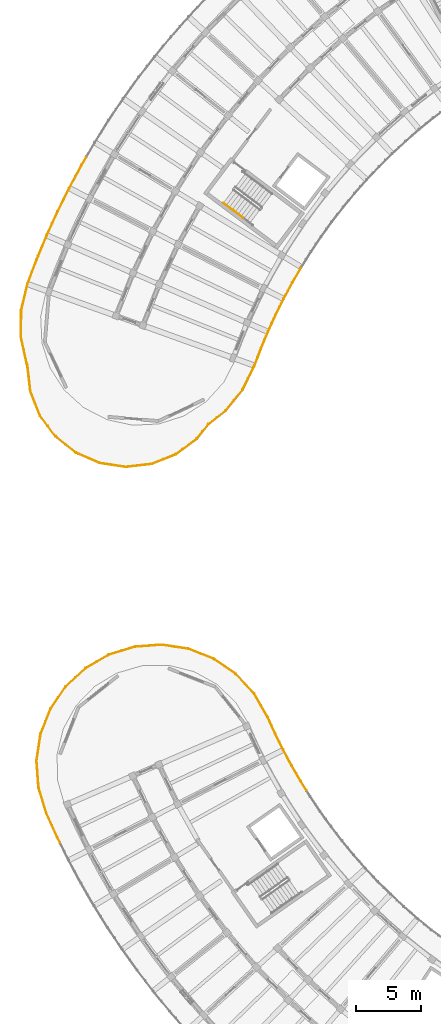
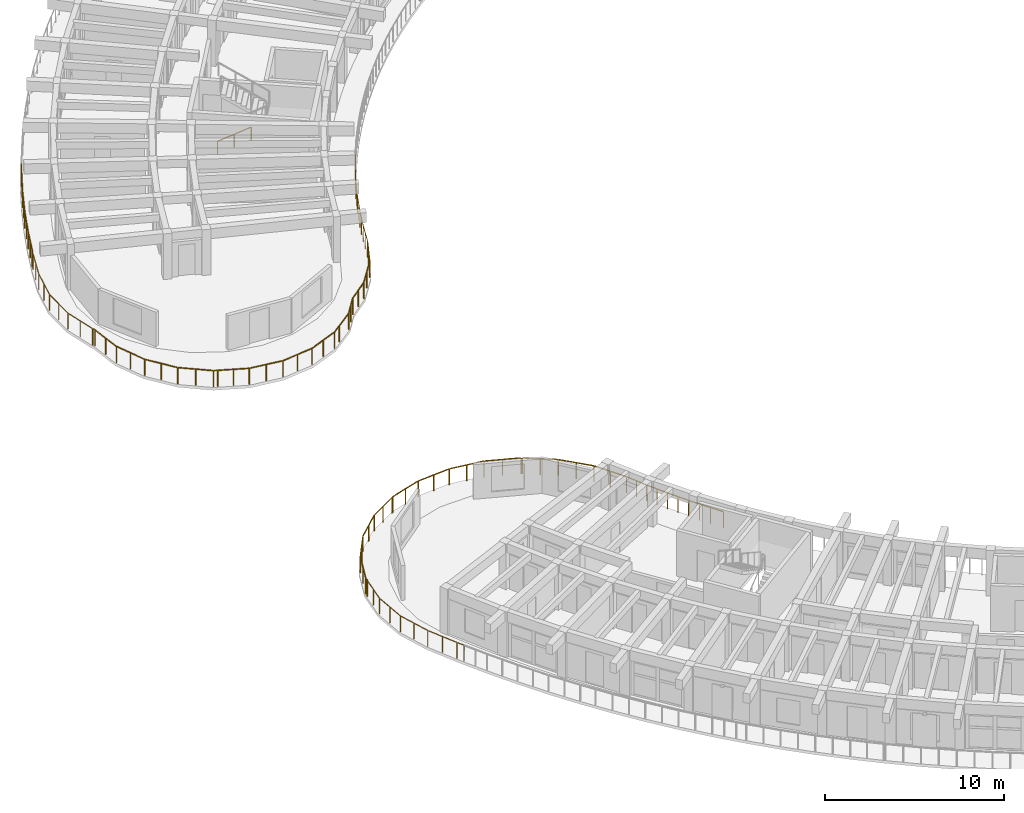
# One storey, part 52 of 62: 13 railings.
"""IFC4 building model written with IfcOpenShell, lengths in metres."""

import ifcopenshell
import ifcopenshell.guid

model = None  # the IFC model being written
_history = None  # IfcOwnerHistory: only IFC2X3 demands one
_inside = {}  # id of a spatial element -> (the spatial element, [elements in it])
_under = {}  # id of a project, library or spatial element -> (it, [spatial elements below it])
_declared = {}  # id of a project -> (the project, [libraries it declares])
_typed = {}  # id of a type object -> (the type object, [elements of that type])
_made_of = {}  # id of a material, layer set ... -> (it, [elements and type objects made of it])


def new_model(schema):
    """Start an empty IFC model of exactly this schema.

    Asked for "IFC4X3", IfcOpenShell would pick the latest addendum, in which some entities
    have other attributes; the version numbers below select the first issue.
    IFC2X3 requires an IfcOwnerHistory on every rooted entity: one is made here for all.
    """
    global model, _history
    if schema == "IFC4X3":
        model = ifcopenshell.file(schema_version=(4, 3, 0, 0))
    else:
        model = ifcopenshell.file(schema=schema)
    _inside.clear()
    _under.clear()
    _declared.clear()
    _typed.clear()
    _made_of.clear()
    _history = None
    if model.schema == "IFC2X3":
        org = make("IfcOrganization", Name="unknown")
        user = make(
            "IfcPersonAndOrganization",
            ThePerson=make("IfcPerson", FamilyName="unknown"),
            TheOrganization=org,
        )
        app = make(
            "IfcApplication",
            ApplicationDeveloper=org,
            Version="unknown",
            ApplicationFullName="unknown",
            ApplicationIdentifier="unknown",
        )
        _history = make(
            "IfcOwnerHistory",
            OwningUser=user,
            OwningApplication=app,
            ChangeAction="ADDED",
            CreationDate=0,
        )
    return model


def make(cls, **values):
    """One entity of the class cls with the attributes given. An attribute that is None is left unset."""
    return model.create_entity(
        cls, **{name: value for name, value in values.items() if value is not None}
    )


def rooted(cls, **values):
    """An entity with a GlobalId (a new one), such as an element, a storey or a relation."""
    return make(cls, GlobalId=ifcopenshell.guid.new(), OwnerHistory=_history, **values)


def si_unit(unit_type, name, prefix=None):
    """IfcSIUnit, for example si_unit("LENGTHUNIT", "METRE", prefix="MILLI")."""
    return make("IfcSIUnit", UnitType=unit_type, Prefix=prefix, Name=name)


def assignment(units):
    """IfcUnitAssignment: the units of a project."""
    return None if units is None else make("IfcUnitAssignment", Units=units)


def point(xyz):
    """IfcCartesianPoint."""
    return None if xyz is None else make("IfcCartesianPoint", Coordinates=xyz)


def direction(xyz):
    """IfcDirection."""
    return None if xyz is None else make("IfcDirection", DirectionRatios=xyz)


def frame(location, z_axis=None, x_axis=None):
    """IfcAxis2Placement3D, a coordinate frame: its origin and axes. An axis left out is left unset."""
    return make(
        "IfcAxis2Placement3D",
        Location=point(location),
        Axis=direction(z_axis),
        RefDirection=direction(x_axis),
    )


def frame_2d(location, x_axis=None):
    """IfcAxis2Placement2D, a coordinate frame in the plane: its origin and x axis."""
    return make(
        "IfcAxis2Placement2D", Location=point(location), RefDirection=direction(x_axis)
    )


def origin():
    """The frame at (0, 0, 0) with its axes left unset."""
    return frame((0.0, 0.0, 0.0))


def origin_2d():
    """The frame at (0, 0) in the plane with its x axis left unset."""
    return frame_2d((0.0, 0.0))


def place(relative_to, where):
    """IfcLocalPlacement: puts the frame where relative to a parent placement (None: the world)."""
    return make(
        "IfcLocalPlacement", PlacementRelTo=relative_to, RelativePlacement=where
    )


def context(
    kind, dimensions, precision=None, world=None, true_north=None, identifier=None
):
    """IfcGeometricRepresentationContext, for example the 3D "Model" context."""
    return make(
        "IfcGeometricRepresentationContext",
        ContextIdentifier=identifier,
        ContextType=kind,
        CoordinateSpaceDimension=dimensions,
        Precision=precision,
        WorldCoordinateSystem=world,
        TrueNorth=true_north,
    )


def subcontext(parent, identifier, kind, view, scale=None):
    """IfcGeometricRepresentationSubContext, for example "Body" below "Model"."""
    return make(
        "IfcGeometricRepresentationSubContext",
        ContextIdentifier=identifier,
        ContextType=kind,
        ParentContext=parent,
        TargetScale=scale,
        TargetView=view,
    )


def project(units=None, contexts=None):
    """IfcProject with its units and contexts."""
    return rooted(
        "IfcProject",
        Name="project",
        RepresentationContexts=contexts,
        UnitsInContext=assignment(units),
    )


def spatial(cls, under=None, at=None, **own):
    """A site, building, storey or space (cls), placed at a placement, below another one or the project."""
    s = rooted(cls, ObjectPlacement=at, **own)
    if under is not None:
        _under.setdefault(under.id(), (under, []))[1].append(s)
    return s


def profile(cls, at=None, kind="AREA", **sizes):
    """A parametric profile (cls). Its sizes go by their IFC names, for example OverallWidth=200.0."""
    return make(cls, ProfileType=kind, Position=at, **sizes)


def circle(**sizes):
    """IfcCircleProfileDef."""
    return profile("IfcCircleProfileDef", **sizes)


def extrude(swept, where, along, depth):
    """IfcExtrudedAreaSolid: the profile swept, set in the frame where, extruded along a direction by depth."""
    return make(
        "IfcExtrudedAreaSolid",
        SweptArea=swept,
        Position=where,
        ExtrudedDirection=direction(along),
        Depth=depth,
    )


def shape(context_of_items, identifier, shape_type, items):
    """IfcShapeRepresentation: the items that make up one representation, for example the "Body"."""
    return make(
        "IfcShapeRepresentation",
        ContextOfItems=context_of_items,
        RepresentationIdentifier=identifier,
        RepresentationType=shape_type,
        Items=items,
    )


def material(Name=None, Category=None):
    """IfcMaterial."""
    return make("IfcMaterial", Name=Name, Category=Category)


def made_of(thing, what):
    """Note that an element or type object is made of a material, layer set ...; save() writes the relation."""
    if what is not None:
        _made_of.setdefault(what.id(), (what, []))[1].append(thing)
    return thing


def type_object(cls, material=None, **own):
    """A type object (cls), such as IfcWallType, which elements share."""
    return made_of(rooted(cls, **own), material)


def element(
    cls,
    number,
    at=None,
    inside=None,
    cuts=None,
    type_object=None,
    material=None,
    context=None,
    identifier="Body",
    shape_type=None,
    held_by="IfcProductDefinitionShape",
    body=None,
    shapes=None,
    **own,
):
    """One element of the class cls, such as IfcWall. Its Tag is "e" and its number.

    at: its placement. inside: the storey or other place that contains it. cuts: it is an
    opening in that element (IfcRelVoidsElement). A single representation is given by context,
    identifier, shape_type and body (its items); several are given by shapes. held_by: the class
    of the entity that holds the representations. save() writes the other relations.
    """
    e = rooted(cls, Tag="e%d" % number, ObjectPlacement=at, **own)
    if body is not None:
        shapes = [shape(context, identifier, shape_type, body)]
    if shapes is not None:
        e.Representation = make(held_by, Representations=shapes)
    if inside is not None:
        _inside.setdefault(inside.id(), (inside, []))[1].append(e)
    if cuts is not None:
        rooted(
            "IfcRelVoidsElement", RelatingBuildingElement=cuts, RelatedOpeningElement=e
        )
    if type_object is not None:
        _typed.setdefault(type_object.id(), (type_object, []))[1].append(e)
    return made_of(e, material)


def aggregate(whole, parts):
    """IfcRelAggregates: a whole, such as a stair, and the parts it consists of."""
    return rooted("IfcRelAggregates", RelatingObject=whole, RelatedObjects=parts)


def save(model, path):
    """Write the relations noted so far, then the file.

    IfcRelAggregates (storeys below a building ...), IfcRelContainedInSpatialStructure (elements
    in a storey), IfcRelDefinesByType, IfcRelAssociatesMaterial and IfcRelDeclares: one each for
    every whole, place, type object, material and project.
    """
    for whole, parts in _under.values():
        aggregate(whole, parts)
    for where, things in _inside.values():
        rooted(
            "IfcRelContainedInSpatialStructure",
            RelatedElements=things,
            RelatingStructure=where,
        )
    for kind, things in _typed.values():
        rooted("IfcRelDefinesByType", RelatedObjects=things, RelatingType=kind)
    for what, things in _made_of.values():
        rooted("IfcRelAssociatesMaterial", RelatedObjects=things, RelatingMaterial=what)
    for by, libraries in _declared.values():
        rooted("IfcRelDeclares", RelatingContext=by, RelatedDefinitions=libraries)
    model.write(path)


model = new_model("IFC4")

# Units and contexts
model_context = context("Model", 3, precision=1e-05, world=origin(), true_north=direction((0.0, 1.0)))
body_context = subcontext(model_context, "Body", "Model", "MODEL_VIEW")
ifc_project = project(units=[si_unit("LENGTHUNIT", "METRE"), si_unit("AREAUNIT", "SQUARE_METRE"), si_unit("VOLUMEUNIT", "CUBIC_METRE"), si_unit("PLANEANGLEUNIT", "RADIAN"), si_unit("MASSUNIT", "GRAM", prefix="KILO")], contexts=[model_context])

# Site, building, storey
site_placement = place(None, origin())
site = spatial("IfcSite", under=ifc_project, at=site_placement, CompositionType="ELEMENT")
building_placement = place(site_placement, origin())
building = spatial("IfcBuilding", under=site, at=building_placement, Name="Tanwirah Colonnade Gardens", CompositionType="ELEMENT")
storey_placement = place(building_placement, frame((0.0, 0.0, 32.360107421875)))
storey = spatial("IfcBuildingStorey", under=building, at=storey_placement, Name="L09", CompositionType="ELEMENT", Elevation=32.360107421875)

# Railings
ifc_material_1 = material(Name="Precast concrete C40/50", Category="concrete")
railing_type_1 = type_object("IfcRailingType", Name="BAL-EXT110", PredefinedType="BALUSTRADE", material=ifc_material_1)
railing_1_placement = place(storey_placement, frame((24.818115234375, 49.289794921875, 0.0)))
element("IfcRailing", 1, at=railing_1_placement, inside=storey, type_object=railing_type_1, Name="Block C L09 Balcony Ribbon Balustrade 1", PredefinedType="BALUSTRADE", context=body_context, shape_type="SweptSolid", body=[
    extrude(circle(Radius=0.02392578125, at=origin_2d()), frame((0.015625, -0.027099609375, 1.076171875), z_axis=(0.499001626878, -0.866601047988, 0.0), x_axis=(0.866601047988, 0.499001626878, 0.0)), (0.0, 0.0, 1.0), 2.029541015625),
    extrude(circle(Radius=0.02392578125, at=origin_2d()), frame((1.056884765625, -1.841552734375, 1.076171875), z_axis=(0.413604450522, -0.9104566758, 0.0), x_axis=(0.9104566758, 0.413604450522, 0.0)), (0.0, 0.0, 1.0), 1.32763671875),
    extrude(circle(Radius=0.02392578125, at=origin_2d()), frame((1.634033203125, -3.109130859375, 1.076171875), z_axis=(0.443286097627, -0.896380184771, 0.0), x_axis=(0.896380184771, 0.443286097627, 0.0)), (0.0, 0.0, 1.0), 1.33154296875),
    extrude(circle(Radius=0.02392578125, at=origin_2d()), frame((2.25390625, -4.360595703125, 1.076171875), z_axis=(0.472323466806, -0.881425290484, 0.0), x_axis=(0.881425290484, 0.472323466806, 0.0)), (0.0, 0.0, 1.0), 1.33154296875),
    extrude(circle(Radius=0.02392578125, at=origin_2d()), frame((2.91455078125, -5.591064453125, 1.076171875), z_axis=(0.501015561301, -0.865438274711, 0.0), x_axis=(0.865438274711, 0.501015561301, 0.0)), (0.0, 0.0, 1.0), 1.33154296875),
    extrude(circle(Radius=0.02392578125, at=origin_2d()), frame((3.615234375, -6.79931640625, 1.076171875), z_axis=(0.528908325755, -0.848678963417, 0.0), x_axis=(0.848678963417, 0.528908325755, 0.0)), (0.0, 0.0, 1.0), 0.7626953125),
    extrude(circle(Radius=0.02099609375, at=origin_2d()), origin(), (0.0, 0.0, 1.0), 1.049072265625),
    extrude(circle(Radius=0.02099609375, at=origin_2d()), frame((0.52197265625, -0.906494140625, 0.0)), (0.0, 0.0, 1.0), 1.049072265625),
    extrude(circle(Radius=0.02099609375, at=origin_2d()), frame((1.0439453125, -1.81298828125, 0.0)), (0.0, 0.0, 1.0), 1.049072265625),
    extrude(circle(Radius=0.02099609375, at=origin_2d()), frame((1.33154296875, -2.44580078125, 0.0)), (0.0, 0.0, 1.0), 1.049072265625),
    extrude(circle(Radius=0.02099609375, at=origin_2d()), frame((1.618896484375, -3.07861328125, 0.0)), (0.0, 0.0, 1.0), 1.049072265625),
    extrude(circle(Radius=0.02099609375, at=origin_2d()), frame((1.92919921875, -3.705810546875, 0.0)), (0.0, 0.0, 1.0), 1.049072265625),
    extrude(circle(Radius=0.02099609375, at=origin_2d()), frame((2.238037109375, -4.33056640625, 0.0)), (0.0, 0.0, 1.0), 1.049072265625),
    extrude(circle(Radius=0.02099609375, at=origin_2d()), frame((2.568359375, -4.947265625, 0.0)), (0.0, 0.0, 1.0), 1.049072265625),
    extrude(circle(Radius=0.02099609375, at=origin_2d()), frame((2.897705078125, -5.561767578125, 0.0)), (0.0, 0.0, 1.0), 1.049072265625),
    extrude(circle(Radius=0.02099609375, at=origin_2d()), frame((3.248046875, -6.167236328125, 0.0)), (0.0, 0.0, 1.0), 1.049072265625),
    extrude(circle(Radius=0.02099609375, at=origin_2d()), frame((3.597412109375, -6.7705078125, 0.0)), (0.0, 0.0, 1.0), 1.049072265625),
    extrude(circle(Radius=0.02099609375, at=origin_2d()), frame((4.03515625, -7.47314453125, 0.0)), (0.0, 0.0, 1.0), 1.049072265625),
])
railing_2_placement = place(storey_placement, frame((9.806396484375, 37.796142578125, 0.0)))
element("IfcRailing", 2, at=railing_2_placement, inside=storey, type_object=railing_type_1, Name="Block C L09 Balcony Ribbon Balustrade 14", PredefinedType="BALUSTRADE", context=body_context, shape_type="SweptSolid", body=[
    extrude(circle(Radius=0.02392578125, at=origin_2d()), frame((-0.013916015625, 0.028076171875, 1.076171875), z_axis=(-0.443096603323, 0.896473870296, 0.0), x_axis=(-0.896473870296, -0.443096603323, 0.0)), (0.0, 0.0, 1.0), 0.412353515625),
    extrude(circle(Radius=0.02392578125, at=origin_2d()), frame((-0.223388671875, 0.454345703125, 1.076171875), z_axis=(-0.413646790889, 0.910437440128, 0.0), x_axis=(-0.910437440128, -0.413646790889, 0.0)), (0.0, 0.0, 1.0), 1.940185546875),
    extrude(circle(Radius=0.02392578125, at=origin_2d()), frame((-1.048095703125, 2.27880859375, 1.076171875), z_axis=(-0.293544269922, 0.955945480452, 0.0), x_axis=(-0.955945480452, -0.293544269922, 0.0)), (0.0, 0.0, 1.0), 2.0283203125),
    extrude(circle(Radius=0.02392578125, at=origin_2d()), frame((-1.65478515625, 4.279052734375, 1.076171875), z_axis=(-0.073591558484, 0.997288465049, 0.0), x_axis=(-0.997288465049, -0.073591558484, 0.0)), (0.0, 0.0, 1.0), 2.024169921875),
    extrude(circle(Radius=0.02392578125, at=origin_2d()), frame((-1.801513671875, 6.35986328125, 1.076171875), z_axis=(0.150326719237, 0.988636372729, 0.0), x_axis=(-0.988636372729, 0.150326719237, 0.0)), (0.0, 0.0, 1.0), 1.782470703125),
    extrude(circle(Radius=0.02099609375, at=origin_2d()), origin(), (0.0, 0.0, 1.0), 1.049072265625),
    extrude(circle(Radius=0.02099609375, at=origin_2d()), frame((-0.21044921875, 0.42578125, 0.0)), (0.0, 0.0, 1.0), 1.049072265625),
    extrude(circle(Radius=0.02099609375, at=origin_2d()), frame((-0.62451171875, 1.33740234375, 0.0)), (0.0, 0.0, 1.0), 1.049072265625),
    extrude(circle(Radius=0.02099609375, at=origin_2d()), frame((-1.038818359375, 2.2490234375, 0.0)), (0.0, 0.0, 1.0), 1.049072265625),
    extrude(circle(Radius=0.02099609375, at=origin_2d()), frame((-1.345703125, 3.24853515625, 0.0)), (0.0, 0.0, 1.0), 1.049072265625),
    extrude(circle(Radius=0.02099609375, at=origin_2d()), frame((-1.652587890625, 4.247802734375, 0.0)), (0.0, 0.0, 1.0), 1.049072265625),
    extrude(circle(Radius=0.02099609375, at=origin_2d()), frame((-1.7294921875, 5.288330078125, 0.0)), (0.0, 0.0, 1.0), 1.049072265625),
    extrude(circle(Radius=0.02099609375, at=origin_2d()), frame((-1.80615234375, 6.328857421875, 0.0)), (0.0, 0.0, 1.0), 1.049072265625),
    extrude(circle(Radius=0.02099609375, at=origin_2d()), frame((-1.66748046875, 7.24072265625, 0.0)), (0.0, 0.0, 1.0), 1.049072265625),
    extrude(circle(Radius=0.02099609375, at=origin_2d()), frame((-1.52880859375, 8.15283203125, 0.0)), (0.0, 0.0, 1.0), 1.049072265625),
])
railing_3_placement = place(storey_placement, frame((8.277587890625, 45.948974609375, 0.0)))
element("IfcRailing", 3, at=railing_3_placement, inside=storey, type_object=railing_type_1, Name="Block C L09 Balcony Ribbon Balustrade 15", PredefinedType="BALUSTRADE", context=body_context, shape_type="SweptSolid", body=[
    extrude(circle(Radius=0.02392578125, at=origin_2d()), frame((0.004638671875, 0.031005859375, 1.076171875), z_axis=(0.150313389314, 0.988638399514, 0.0), x_axis=(-0.988638399514, 0.150313389314, 0.0)), (0.0, 0.0, 1.0), 0.179443359375),
    extrude(circle(Radius=0.02392578125, at=origin_2d()), frame((0.0478515625, 0.268310546875, 1.076171875), z_axis=(0.366484627312, 0.930424106493, 0.0), x_axis=(-0.930424106493, 0.366484627312, 0.0)), (0.0, 0.0, 1.0), 2.024658203125),
    extrude(circle(Radius=0.02392578125, at=origin_2d()), frame((0.81884765625, 2.20703125, 1.076171875), z_axis=(0.564381899304, 0.825513822863, 0.0), x_axis=(-0.825513822863, 0.564381899304, 0.0)), (0.0, 0.0, 1.0), 2.024169921875),
    extrude(circle(Radius=0.02392578125, at=origin_2d()), frame((2.001953125, 3.925048828125, 1.076171875), z_axis=(0.733838427915, 0.679324047649, 0.0), x_axis=(-0.679324047649, 0.733838427915, 0.0)), (0.0, 0.0, 1.0), 2.0244140625),
    extrude(circle(Radius=0.02392578125, at=origin_2d()), frame((3.53759765625, 5.337158203125, 1.076171875), z_axis=(0.866681716093, 0.498861506823, 0.0), x_axis=(-0.498861506823, 0.866681716093, 0.0)), (0.0, 0.0, 1.0), 1.934814453125),
    extrude(circle(Radius=0.02099609375, at=origin_2d()), origin(), (0.0, 0.0, 1.0), 1.049072265625),
    extrude(circle(Radius=0.02099609375, at=origin_2d()), frame((0.036376953125, 0.2392578125, 0.0)), (0.0, 0.0, 1.0), 1.049072265625),
    extrude(circle(Radius=0.02099609375, at=origin_2d()), frame((0.4189453125, 1.210205078125, 0.0)), (0.0, 0.0, 1.0), 1.049072265625),
    extrude(circle(Radius=0.02099609375, at=origin_2d()), frame((0.80126953125, 2.18115234375, 0.0)), (0.0, 0.0, 1.0), 1.049072265625),
    extrude(circle(Radius=0.02099609375, at=origin_2d()), frame((1.39013671875, 3.04248046875, 0.0)), (0.0, 0.0, 1.0), 1.049072265625),
    extrude(circle(Radius=0.02099609375, at=origin_2d()), frame((1.97900390625, 3.90380859375, 0.0)), (0.0, 0.0, 1.0), 1.049072265625),
    extrude(circle(Radius=0.02099609375, at=origin_2d()), frame((2.74462890625, 4.61279296875, 0.0)), (0.0, 0.0, 1.0), 1.049072265625),
    extrude(circle(Radius=0.02099609375, at=origin_2d()), frame((3.510498046875, 5.321533203125, 0.0)), (0.0, 0.0, 1.0), 1.049072265625),
    extrude(circle(Radius=0.02099609375, at=origin_2d()), frame((4.3759765625, 5.81982421875, 0.0)), (0.0, 0.0, 1.0), 1.049072265625),
    extrude(circle(Radius=0.02099609375, at=origin_2d()), frame((5.241455078125, 6.31787109375, 0.0)), (0.0, 0.0, 1.0), 1.049072265625),
])
railing_4_placement = place(storey_placement, frame((13.51904296875, 52.266845703125, 0.0)))
element("IfcRailing", 4, at=railing_4_placement, inside=storey, type_object=railing_type_1, Name="Block C L09 Balcony Ribbon Balustrade 16", PredefinedType="BALUSTRADE", context=body_context, shape_type="SweptSolid", body=[
    extrude(circle(Radius=0.02392578125, at=origin_2d()), frame((0.027099609375, 0.015625, 1.076171875), z_axis=(0.866729579783, 0.498778343083, 0.0), x_axis=(-0.498778343083, 0.866729579783, 0.0)), (0.0, 0.0, 1.0), 0.027099609375),
    extrude(circle(Radius=0.02392578125, at=origin_2d()), frame((0.107421875, 0.053955078125, 1.076171875), z_axis=(0.955925583692, 0.293609057155, 0.0), x_axis=(-0.293609057155, 0.955925583692, 0.0)), (0.0, 0.0, 1.0), 2.024658203125),
    extrude(circle(Radius=0.02392578125, at=origin_2d()), frame((2.10400390625, 0.65966796875, 1.076171875), z_axis=(0.997297045031, 0.0734751929, 0.0), x_axis=(-0.0734751929, 0.997297045031, 0.0)), (0.0, 0.0, 1.0), 2.024169921875),
    extrude(circle(Radius=0.02392578125, at=origin_2d()), frame((4.184814453125, 0.80615234375, 1.076171875), z_axis=(0.988636607769, -0.150325173469, 0.0), x_axis=(0.150325173469, 0.988636607769, 0.0)), (0.0, 0.0, 1.0), 2.0244140625),
    extrude(circle(Radius=0.02392578125, at=origin_2d()), frame((6.24609375, 0.485595703125, 1.076171875), z_axis=(0.930408392817, -0.366524518382, 0.0), x_axis=(0.366524518382, 0.930408392817, 0.0)), (0.0, 0.0, 1.0), 2.0244140625),
    extrude(circle(Radius=0.02099609375, at=origin_2d()), origin(), (0.0, 0.0, 1.0), 1.049072265625),
    extrude(circle(Radius=0.02099609375, at=origin_2d()), frame((0.07763671875, 0.044677734375, 0.0)), (0.0, 0.0, 1.0), 1.049072265625),
    extrude(circle(Radius=0.02099609375, at=origin_2d()), frame((1.0751953125, 0.35107421875, 0.0)), (0.0, 0.0, 1.0), 1.049072265625),
    extrude(circle(Radius=0.02099609375, at=origin_2d()), frame((2.07275390625, 0.657470703125, 0.0)), (0.0, 0.0, 1.0), 1.049072265625),
    extrude(circle(Radius=0.02099609375, at=origin_2d()), frame((3.11328125, 0.734130859375, 0.0)), (0.0, 0.0, 1.0), 1.049072265625),
    extrude(circle(Radius=0.02099609375, at=origin_2d()), frame((4.15380859375, 0.810791015625, 0.0)), (0.0, 0.0, 1.0), 1.049072265625),
    extrude(circle(Radius=0.02099609375, at=origin_2d()), frame((5.185546875, 0.65380859375, 0.0)), (0.0, 0.0, 1.0), 1.049072265625),
    extrude(circle(Radius=0.02099609375, at=origin_2d()), frame((6.217041015625, 0.4970703125, 0.0)), (0.0, 0.0, 1.0), 1.049072265625),
    extrude(circle(Radius=0.02099609375, at=origin_2d()), frame((7.18798828125, 0.11474609375, 0.0)), (0.0, 0.0, 1.0), 1.049072265625),
    extrude(circle(Radius=0.02099609375, at=origin_2d()), frame((8.15869140625, -0.267822265625, 0.0)), (0.0, 0.0, 1.0), 1.049072265625),
    extrude(circle(Radius=0.02099609375, at=origin_2d()), frame((8.21044921875, -0.302978515625, 0.0)), (0.0, 0.0, 1.0), 1.049072265625),
])
railing_5_placement = place(storey_placement, frame((21.7294921875, 51.9638671875, 0.0)))
element("IfcRailing", 5, at=railing_5_placement, inside=storey, type_object=railing_type_1, Name="Block C L09 Balcony Ribbon Balustrade 17", PredefinedType="BALUSTRADE", context=body_context, shape_type="SweptSolid", body=[
    extrude(circle(Radius=0.02392578125, at=origin_2d()), frame((0.02587890625, -0.017578125, 1.076171875), z_axis=(0.825499489015, -0.564402864659, 0.0), x_axis=(0.564402864659, 0.825499489015, 0.0)), (0.0, 0.0, 1.0), 1.9619140625),
    extrude(circle(Radius=0.02392578125, at=origin_2d()), frame((1.6923828125, -1.16552734375, 1.076171875), z_axis=(0.679261042241, -0.733896747843, 0.0), x_axis=(0.733896747843, 0.679261042241, 0.0)), (0.0, 0.0, 1.0), 2.024169921875),
    extrude(circle(Radius=0.02099609375, at=origin_2d()), origin(), (0.0, 0.0, 1.0), 1.049072265625),
    extrude(circle(Radius=0.02099609375, at=origin_2d()), frame((0.83544921875, -0.5712890625, 0.0)), (0.0, 0.0, 1.0), 1.049072265625),
    extrude(circle(Radius=0.02099609375, at=origin_2d()), frame((1.671142578125, -1.142578125, 0.0)), (0.0, 0.0, 1.0), 1.049072265625),
    extrude(circle(Radius=0.02099609375, at=origin_2d()), frame((2.3798828125, -1.908203125, 0.0)), (0.0, 0.0, 1.0), 1.049072265625),
    extrude(circle(Radius=0.02099609375, at=origin_2d()), frame((3.088623046875, -2.674072265625, 0.0)), (0.0, 0.0, 1.0), 1.049072265625),
])
railing_type_2 = type_object("IfcRailingType", Name="BAL-EXT112", PredefinedType="BALUSTRADE", material=ifc_material_1)
railing_6_placement = place(storey_placement, frame((28.422119140625, 82.189697265625, 0.0)))
element("IfcRailing", 6, at=railing_6_placement, inside=storey, type_object=railing_type_2, Name="Block A L09 Balcony Ribbon Balustrade 6", PredefinedType="BALUSTRADE", context=body_context, shape_type="SweptSolid", body=[
    extrude(circle(Radius=0.02392578125, at=origin_2d()), frame((-0.015625, -0.027099609375, 1.09619140625), z_axis=(-0.502458075829, -0.864601574157, 0.0), x_axis=(0.864601574157, -0.502458075829, 0.0)), (0.0, 0.0, 1.0), 1.270263671875),
    extrude(circle(Radius=0.02392578125, at=origin_2d()), frame((-0.685791015625, -1.18212890625, 1.09619140625), z_axis=(-0.473716211853, -0.880677552018, 0.0), x_axis=(0.880677552018, -0.473716211853, 0.0)), (0.0, 0.0, 1.0), 1.341796875),
    extrude(circle(Radius=0.02392578125, at=origin_2d()), frame((-1.351318359375, -2.421630859375, 1.09619140625), z_axis=(-0.444499692011, -0.895779003885, 0.0), x_axis=(0.895779003885, -0.444499692011, 0.0)), (0.0, 0.0, 1.0), 1.341796875),
    extrude(circle(Radius=0.02392578125, at=origin_2d()), frame((-1.975830078125, -3.6826171875, 1.09619140625), z_axis=(-0.414654197084, -0.909979063957, 0.0), x_axis=(0.909979063957, -0.414654197084, 0.0)), (0.0, 0.0, 1.0), 1.341796875),
    extrude(circle(Radius=0.02392578125, at=origin_2d()), frame((-2.55810546875, -4.963134765625, 1.09619140625), z_axis=(-0.384541319971, -0.923107779858, 0.0), x_axis=(0.923107779858, -0.384541319971, 0.0)), (0.0, 0.0, 1.0), 1.341796875),
    extrude(circle(Radius=0.02392578125, at=origin_2d()), frame((-3.09814453125, -6.262451171875, 1.09619140625), z_axis=(-0.353834404232, -0.935308085276, 0.0), x_axis=(0.935308085276, -0.353834404232, 0.0)), (0.0, 0.0, 1.0), 1.338134765625),
    extrude(circle(Radius=0.02392578125, at=origin_2d()), frame((-3.5966796875, -7.5712890625, 1.09619140625), z_axis=(-0.441461785618, -0.897280052068, 0.0), x_axis=(0.897280052068, -0.441461785618, 0.0)), (0.0, 0.0, 1.0), 0.073486328125),
    extrude(circle(Radius=0.02099609375, at=origin_2d()), origin(), (0.0, 0.0, 1.0), 1.069091796875),
    extrude(circle(Radius=0.02099609375, at=origin_2d()), frame((-0.669677734375, -1.15234375, 0.0)), (0.0, 0.0, 1.0), 1.069091796875),
    extrude(circle(Radius=0.02099609375, at=origin_2d()), frame((-1.00341796875, -1.77294921875, 0.0)), (0.0, 0.0, 1.0), 1.069091796875),
    extrude(circle(Radius=0.02099609375, at=origin_2d()), frame((-1.336181640625, -2.391357421875, 0.0)), (0.0, 0.0, 1.0), 1.069091796875),
    extrude(circle(Radius=0.02099609375, at=origin_2d()), frame((-1.6494140625, -3.0224609375, 0.0)), (0.0, 0.0, 1.0), 1.069091796875),
    extrude(circle(Radius=0.02099609375, at=origin_2d()), frame((-1.961669921875, -3.651611328125, 0.0)), (0.0, 0.0, 1.0), 1.069091796875),
    extrude(circle(Radius=0.02099609375, at=origin_2d()), frame((-2.25390625, -4.29296875, 0.0)), (0.0, 0.0, 1.0), 1.069091796875),
    extrude(circle(Radius=0.02099609375, at=origin_2d()), frame((-2.545166015625, -4.931884765625, 0.0)), (0.0, 0.0, 1.0), 1.069091796875),
    extrude(circle(Radius=0.02099609375, at=origin_2d()), frame((-2.816162109375, -5.58251953125, 0.0)), (0.0, 0.0, 1.0), 1.069091796875),
    extrude(circle(Radius=0.02099609375, at=origin_2d()), frame((-3.086181640625, -6.230712890625, 0.0)), (0.0, 0.0, 1.0), 1.069091796875),
    extrude(circle(Radius=0.02099609375, at=origin_2d()), frame((-3.3349609375, -6.88818359375, 0.0)), (0.0, 0.0, 1.0), 1.069091796875),
    extrude(circle(Radius=0.02099609375, at=origin_2d()), frame((-3.582763671875, -7.543212890625, 0.0)), (0.0, 0.0, 1.0), 1.069091796875),
    extrude(circle(Radius=0.02099609375, at=origin_2d()), frame((-3.642822265625, -7.665283203125, 0.0)), (0.0, 0.0, 1.0), 1.069091796875),
])
railing_7_placement = place(storey_placement, frame((24.779296875, 74.5244140625, 0.0)))
element("IfcRailing", 7, at=railing_7_placement, inside=storey, type_object=railing_type_2, Name="Block A L09 Balcony Ribbon Balustrade 7", PredefinedType="BALUSTRADE", context=body_context, shape_type="SweptSolid", body=[
    extrude(circle(Radius=0.02392578125, at=origin_2d()), frame((-0.013916015625, -0.028076171875, 1.09619140625), z_axis=(-0.441612922274, -0.897205677022, 0.0), x_axis=(0.897205677022, -0.441612922274, 0.0)), (0.0, 0.0, 1.0), 1.893310546875),
    extrude(circle(Radius=0.02392578125, at=origin_2d()), frame((-0.883544921875, -1.779052734375, 1.09619140625), z_axis=(-0.630200574628, -0.776432376797, 0.0), x_axis=(0.776432376797, -0.630200574628, 0.0)), (0.0, 0.0, 1.0), 2.0244140625),
    extrude(circle(Radius=0.02392578125, at=origin_2d()), frame((-2.20361328125, -3.39453125, 1.09619140625), z_axis=(-0.787168969209, -0.616737394614, 0.0), x_axis=(0.616737394614, -0.787168969209, 0.0)), (0.0, 0.0, 1.0), 1.609130859375),
    extrude(circle(Radius=0.02392578125, at=origin_2d()), frame((-3.527587890625, -4.44384765625, 1.09619140625), z_axis=(-0.622454986403, -0.78265560108, 0.0), x_axis=(0.78265560108, -0.622454986403, 0.0)), (0.0, 0.0, 1.0), 1.37451171875),
    extrude(circle(Radius=0.02392578125, at=origin_2d()), frame((-4.427734375, -5.562744140625, 1.09619140625), z_axis=(-0.803905111758, -0.594757573546, 0.0), x_axis=(0.594757573546, -0.803905111758, 0.0)), (0.0, 0.0, 1.0), 1.26708984375),
    extrude(circle(Radius=0.02099609375, at=origin_2d()), origin(), (0.0, 0.0, 1.0), 1.069091796875),
    extrude(circle(Radius=0.02099609375, at=origin_2d()), frame((-0.431884765625, -0.87744140625, 0.0)), (0.0, 0.0, 1.0), 1.069091796875),
    extrude(circle(Radius=0.02099609375, at=origin_2d()), frame((-0.86376953125, -1.7548828125, 0.0)), (0.0, 0.0, 1.0), 1.069091796875),
    extrude(circle(Radius=0.02099609375, at=origin_2d()), frame((-1.521484375, -2.56494140625, 0.0)), (0.0, 0.0, 1.0), 1.069091796875),
    extrude(circle(Radius=0.02099609375, at=origin_2d()), frame((-2.178955078125, -3.375244140625, 0.0)), (0.0, 0.0, 1.0), 1.069091796875),
    extrude(circle(Radius=0.02099609375, at=origin_2d()), frame((-2.8369140625, -3.890625, 0.0)), (0.0, 0.0, 1.0), 1.069091796875),
    extrude(circle(Radius=0.02099609375, at=origin_2d()), frame((-3.494873046875, -4.40625, 0.0)), (0.0, 0.0, 1.0), 1.069091796875),
    extrude(circle(Radius=0.02099609375, at=origin_2d()), frame((-3.955322265625, -4.98193359375, 0.0)), (0.0, 0.0, 1.0), 1.069091796875),
    extrude(circle(Radius=0.02099609375, at=origin_2d()), frame((-4.402587890625, -5.544189453125, 0.0)), (0.0, 0.0, 1.0), 1.069091796875),
    extrude(circle(Radius=0.02099609375, at=origin_2d()), frame((-5.471435546875, -6.3349609375, 0.0)), (0.0, 0.0, 1.0), 1.069091796875),
])
railing_8_placement = place(storey_placement, frame((19.307861328125, 68.189453125, 0.0)))
element("IfcRailing", 8, at=railing_8_placement, inside=storey, type_object=railing_type_2, Name="Block A L09 Balcony Ribbon Balustrade 8", PredefinedType="BALUSTRADE", context=body_context, shape_type="SweptSolid", body=[
    extrude(circle(Radius=0.02392578125, at=origin_2d()), frame((-0.025146484375, -0.0185546875, 1.09619140625), z_axis=(-0.803872553123, -0.594801578961, 0.0), x_axis=(0.594801578961, -0.803872553123, 0.0)), (0.0, 0.0, 1.0), 0.623046875),
    extrude(circle(Radius=0.02392578125, at=origin_2d()), frame((-0.580078125, -0.419189453125, 1.09619140625), z_axis=(-0.930427170711, -0.366476847839, 0.0), x_axis=(0.366476847839, -0.930427170711, 0.0)), (0.0, 0.0, 1.0), 1.95263671875),
    extrude(circle(Radius=0.02392578125, at=origin_2d()), frame((-2.45703125, -1.14990234375, 1.09619140625), z_axis=(-0.993563485203, -0.113276656342, 0.0), x_axis=(0.113276656342, -0.993563485203, 0.0)), (0.0, 0.0, 1.0), 1.95263671875),
    extrude(circle(Radius=0.02392578125, at=origin_2d()), frame((-4.459228515625, -1.369873046875, 1.09619140625), z_axis=(-0.989015305864, 0.147813141388, 0.0), x_axis=(-0.147813141388, -0.989015305864, 0.0)), (0.0, 0.0, 1.0), 1.95263671875),
    extrude(circle(Radius=0.02392578125, at=origin_2d()), frame((-6.44970703125, -1.064208984375, 1.09619140625), z_axis=(-0.917048117668, 0.398776566365, 0.0), x_axis=(-0.398776566365, -0.917048117668, 0.0)), (0.0, 0.0, 1.0), 1.706787109375),
    extrude(circle(Radius=0.02099609375, at=origin_2d()), origin(), (0.0, 0.0, 1.0), 1.069091796875),
    extrude(circle(Radius=0.02099609375, at=origin_2d()), frame((-0.551025390625, -0.40771484375, 0.0)), (0.0, 0.0, 1.0), 1.069091796875),
    extrude(circle(Radius=0.02099609375, at=origin_2d()), frame((-1.488525390625, -0.77685546875, 0.0)), (0.0, 0.0, 1.0), 1.069091796875),
    extrude(circle(Radius=0.02099609375, at=origin_2d()), frame((-2.426025390625, -1.146240234375, 0.0)), (0.0, 0.0, 1.0), 1.069091796875),
    extrude(circle(Radius=0.02099609375, at=origin_2d()), frame((-3.42724609375, -1.26025390625, 0.0)), (0.0, 0.0, 1.0), 1.069091796875),
    extrude(circle(Radius=0.02099609375, at=origin_2d()), frame((-4.42822265625, -1.37451171875, 0.0)), (0.0, 0.0, 1.0), 1.069091796875),
    extrude(circle(Radius=0.02099609375, at=origin_2d()), frame((-5.4248046875, -1.2255859375, 0.0)), (0.0, 0.0, 1.0), 1.069091796875),
    extrude(circle(Radius=0.02099609375, at=origin_2d()), frame((-6.421142578125, -1.07666015625, 0.0)), (0.0, 0.0, 1.0), 1.069091796875),
    extrude(circle(Radius=0.02099609375, at=origin_2d()), frame((-7.232421875, -0.723876953125, 0.0)), (0.0, 0.0, 1.0), 1.069091796875),
    extrude(circle(Radius=0.02099609375, at=origin_2d()), frame((-8.043701171875, -0.37109375, 0.0)), (0.0, 0.0, 1.0), 1.069091796875),
])
railing_9_placement = place(storey_placement, frame((11.26416015625, 67.818359375, 0.0)))
element("IfcRailing", 9, at=railing_9_placement, inside=storey, type_object=railing_type_2, Name="Block A L09 Balcony Ribbon Balustrade 9", PredefinedType="BALUSTRADE", context=body_context, shape_type="SweptSolid", body=[
    extrude(circle(Radius=0.02392578125, at=origin_2d()), frame((-0.028564453125, 0.012451171875, 1.09619140625), z_axis=(-0.916975366091, 0.398943828104, 0.0), x_axis=(-0.398943828104, -0.916975366091, 0.0)), (0.0, 0.0, 1.0), 0.18359375),
    extrude(circle(Radius=0.02392578125, at=origin_2d()), frame((-0.25, 0.11767578125, 1.09619140625), z_axis=(-0.782591663094, 0.622535371571, 0.0), x_axis=(-0.622535371571, -0.782591663094, 0.0)), (0.0, 0.0, 1.0), 1.952392578125),
    extrude(circle(Radius=0.02392578125, at=origin_2d()), frame((-1.821044921875, 1.377685546875, 1.09619140625), z_axis=(-0.594850833689, 0.803836106218, 0.0), x_axis=(-0.803836106218, -0.594850833689, 0.0)), (0.0, 0.0, 1.0), 1.95263671875),
    extrude(circle(Radius=0.02392578125, at=origin_2d()), frame((-3.0126953125, 3.00146484375, 1.09619140625), z_axis=(-0.366476847839, 0.930427170711, 0.0), x_axis=(-0.930427170711, -0.366476847839, 0.0)), (0.0, 0.0, 1.0), 1.95263671875),
    extrude(circle(Radius=0.02392578125, at=origin_2d()), frame((-3.7431640625, 4.87841796875, 1.09619140625), z_axis=(-0.11321299265, 0.993570741465, 0.0), x_axis=(-0.993570741465, -0.11321299265, 0.0)), (0.0, 0.0, 1.0), 1.960205078125),
    extrude(circle(Radius=0.02392578125, at=origin_2d()), frame((-3.9892578125, 6.91064453125, 1.09619140625), z_axis=(-0.427983562733, 0.903786517951, 0.0), x_axis=(-0.903786517951, -0.427983562733, 0.0)), (0.0, 0.0, 1.0), 0.03955078125),
    extrude(circle(Radius=0.02099609375, at=origin_2d()), origin(), (0.0, 0.0, 1.0), 1.069091796875),
    extrude(circle(Radius=0.02099609375, at=origin_2d()), frame((-0.2255859375, 0.09814453125, 0.0)), (0.0, 0.0, 1.0), 1.069091796875),
    extrude(circle(Radius=0.02099609375, at=origin_2d()), frame((-1.01416015625, 0.725341796875, 0.0)), (0.0, 0.0, 1.0), 1.069091796875),
    extrude(circle(Radius=0.02099609375, at=origin_2d()), frame((-1.802490234375, 1.3525390625, 0.0)), (0.0, 0.0, 1.0), 1.069091796875),
    extrude(circle(Radius=0.02099609375, at=origin_2d()), frame((-2.40185546875, 2.16259765625, 0.0)), (0.0, 0.0, 1.0), 1.069091796875),
    extrude(circle(Radius=0.02099609375, at=origin_2d()), frame((-3.001220703125, 2.972412109375, 0.0)), (0.0, 0.0, 1.0), 1.069091796875),
    extrude(circle(Radius=0.02099609375, at=origin_2d()), frame((-3.37060546875, 3.909912109375, 0.0)), (0.0, 0.0, 1.0), 1.069091796875),
    extrude(circle(Radius=0.02099609375, at=origin_2d()), frame((-3.73974609375, 4.847412109375, 0.0)), (0.0, 0.0, 1.0), 1.069091796875),
    extrude(circle(Radius=0.02099609375, at=origin_2d()), frame((-3.854248046875, 5.852294921875, 0.0)), (0.0, 0.0, 1.0), 1.069091796875),
    extrude(circle(Radius=0.02099609375, at=origin_2d()), frame((-3.96875, 6.857177734375, 0.0)), (0.0, 0.0, 1.0), 1.069091796875),
    extrude(circle(Radius=0.02099609375, at=origin_2d()), frame((-4.01953125, 6.974609375, 0.0)), (0.0, 0.0, 1.0), 1.069091796875),
])
railing_10_placement = place(storey_placement, frame((7.232421875, 74.84912109375, 0.0)))
element("IfcRailing", 10, at=railing_10_placement, inside=storey, type_object=railing_type_2, Name="Block A L09 Balcony Ribbon Balustrade 10", PredefinedType="BALUSTRADE", context=body_context, shape_type="SweptSolid", body=[
    extrude(circle(Radius=0.02392578125, at=origin_2d()), frame((-0.006591796875, 0.030517578125, 1.09619140625), z_axis=(-0.214127368487, 0.976805748378, 0.0), x_axis=(-0.976805748378, -0.214127368487, 0.0)), (0.0, 0.0, 1.0), 1.967041015625),
    extrude(circle(Radius=0.02392578125, at=origin_2d()), frame((-0.434326171875, 2.013671875, 1.09619140625), z_axis=(0.008539697957, 0.999963536115, 0.0), x_axis=(-0.999963536115, 0.008539697957, 0.0)), (0.0, 0.0, 1.0), 2.0244140625),
    extrude(circle(Radius=0.02392578125, at=origin_2d()), frame((-0.409423828125, 4.099853515625, 1.09619140625), z_axis=(0.230978471845, 0.972958861178, 0.0), x_axis=(-0.972958861178, 0.230978471845, 0.0)), (0.0, 0.0, 1.0), 2.028076171875),
    extrude(circle(Radius=0.02392578125, at=origin_2d()), frame((0.0771484375, 6.1328125, 1.09619140625), z_axis=(0.353840598901, 0.93530574176, 0.0), x_axis=(-0.93530574176, 0.353840598901, 0.0)), (0.0, 0.0, 1.0), 1.955078125),
    extrude(circle(Radius=0.02392578125, at=origin_2d()), frame((0.7919921875, 8.019287109375, 1.09619140625), z_axis=(0.384048505069, 0.923312918654, 0.0), x_axis=(-0.923312918654, 0.384048505069, 0.0)), (0.0, 0.0, 1.0), 0.212646484375),
    extrude(circle(Radius=0.02099609375, at=origin_2d()), origin(), (0.0, 0.0, 1.0), 1.069091796875),
    extrude(circle(Radius=0.02099609375, at=origin_2d()), frame((-0.21728515625, 0.9912109375, 0.0)), (0.0, 0.0, 1.0), 1.069091796875),
    extrude(circle(Radius=0.02099609375, at=origin_2d()), frame((-0.4345703125, 1.982421875, 0.0)), (0.0, 0.0, 1.0), 1.069091796875),
    extrude(circle(Radius=0.02099609375, at=origin_2d()), frame((-0.42578125, 3.02587890625, 0.0)), (0.0, 0.0, 1.0), 1.069091796875),
    extrude(circle(Radius=0.02099609375, at=origin_2d()), frame((-0.416748046875, 4.0693359375, 0.0)), (0.0, 0.0, 1.0), 1.069091796875),
    extrude(circle(Radius=0.02099609375, at=origin_2d()), frame((-0.17529296875, 5.08642578125, 0.0)), (0.0, 0.0, 1.0), 1.069091796875),
    extrude(circle(Radius=0.02099609375, at=origin_2d()), frame((0.066162109375, 6.103515625, 0.0)), (0.0, 0.0, 1.0), 1.069091796875),
    extrude(circle(Radius=0.02099609375, at=origin_2d()), frame((0.423095703125, 7.046875, 0.0)), (0.0, 0.0, 1.0), 1.069091796875),
    extrude(circle(Radius=0.02099609375, at=origin_2d()), frame((0.780029296875, 7.990478515625, 0.0)), (0.0, 0.0, 1.0), 1.069091796875),
    extrude(circle(Radius=0.02099609375, at=origin_2d()), frame((0.8857421875, 8.24462890625, 0.0)), (0.0, 0.0, 1.0), 1.069091796875),
])
railing_11_placement = place(storey_placement, frame((8.1181640625, 83.09375, 0.0)))
element("IfcRailing", 11, at=railing_11_placement, inside=storey, type_object=railing_type_2, Name="Block A L09 Balcony Ribbon Balustrade 11", PredefinedType="BALUSTRADE", context=body_context, shape_type="SweptSolid", body=[
    extrude(circle(Radius=0.02392578125, at=origin_2d()), frame((0.011962890625, 0.02880859375, 1.09619140625), z_axis=(0.384466473822, 0.923138955145, 0.0), x_axis=(-0.923138955145, 0.384466473822, 0.0)), (0.0, 0.0, 1.0), 1.683837890625),
    extrude(circle(Radius=0.02392578125, at=origin_2d()), frame((0.684326171875, 1.640625, 1.09619140625), z_axis=(0.414749084938, 0.909935820013, 0.0), x_axis=(-0.909935820013, 0.414749084938, 0.0)), (0.0, 0.0, 1.0), 1.958984375),
    extrude(circle(Radius=0.02392578125, at=origin_2d()), frame((1.523681640625, 3.4794921875, 1.09619140625), z_axis=(0.444409688214, 0.895823659557, 0.0), x_axis=(-0.895823659557, 0.444409688214, 0.0)), (0.0, 0.0, 1.0), 1.959228515625),
    extrude(circle(Radius=0.02392578125, at=origin_2d()), frame((2.423095703125, 5.2900390625, 1.09619140625), z_axis=(0.473826102441, 0.88061843306, 0.0), x_axis=(-0.88061843306, 0.473826102441, 0.0)), (0.0, 0.0, 1.0), 1.958740234375),
    extrude(circle(Radius=0.02392578125, at=origin_2d()), frame((3.381591796875, 7.069580078125, 1.09619140625), z_axis=(0.502306422927, 0.864689688551, 0.0), x_axis=(-0.864689688551, 0.502306422927, 0.0)), (0.0, 0.0, 1.0), 0.626708984375),
    extrude(circle(Radius=0.02099609375, at=origin_2d()), origin(), (0.0, 0.0, 1.0), 1.069091796875),
    extrude(circle(Radius=0.02099609375, at=origin_2d()), frame((0.335693359375, 0.80615234375, 0.0)), (0.0, 0.0, 1.0), 1.069091796875),
    extrude(circle(Radius=0.02099609375, at=origin_2d()), frame((0.67138671875, 1.612060546875, 0.0)), (0.0, 0.0, 1.0), 1.069091796875),
    extrude(circle(Radius=0.02099609375, at=origin_2d()), frame((1.090576171875, 2.53173828125, 0.0)), (0.0, 0.0, 1.0), 1.069091796875),
    extrude(circle(Radius=0.02099609375, at=origin_2d()), frame((1.509765625, 3.451416015625, 0.0)), (0.0, 0.0, 1.0), 1.069091796875),
    extrude(circle(Radius=0.02099609375, at=origin_2d()), frame((1.958984375, 4.35693359375, 0.0)), (0.0, 0.0, 1.0), 1.069091796875),
    extrude(circle(Radius=0.02099609375, at=origin_2d()), frame((2.408203125, 5.262451171875, 0.0)), (0.0, 0.0, 1.0), 1.069091796875),
    extrude(circle(Radius=0.02099609375, at=origin_2d()), frame((2.88720703125, 6.15234375, 0.0)), (0.0, 0.0, 1.0), 1.069091796875),
    extrude(circle(Radius=0.02099609375, at=origin_2d()), frame((3.365966796875, 7.04248046875, 0.0)), (0.0, 0.0, 1.0), 1.069091796875),
    extrude(circle(Radius=0.02099609375, at=origin_2d()), frame((3.712158203125, 7.638427734375, 0.0)), (0.0, 0.0, 1.0), 1.069091796875),
])
ifc_material_2 = material(Name="Brushed bronze stainless steel", Category="steel")
railing_type_3 = type_object("IfcRailingType", Name="HR-ST090", PredefinedType="HANDRAIL", material=ifc_material_2)
for number, where, name in (
    (12, (22.43115234375, 87.206787109375, 0.16796875), "L09 ST-A2 stair handrail 1"),
    (13, (23.18994140625, 86.635009765625, 0.73388671875), "L09 ST-A2 stair handrail 2"),
):
    element("IfcRailing", number, at=place(storey_placement, frame(where)), inside=storey, type_object=railing_type_3, Name=name, PredefinedType="HANDRAIL", context=body_context, shape_type="SweptSolid", body=[
        extrude(circle(Radius=0.02392578125, at=origin_2d()), frame((0.021484375, -0.01611328125, 0.891845703125), z_axis=(0.686145346169, -0.517037451972, 0.51173903231), x_axis=(0.601807485929, 0.798641189696, 0.0)), (0.0, 0.0, 1.0), 1.04345703125),
        extrude(circle(Radius=0.02099609375, at=origin_2d()), origin(), (0.0, 0.0, 1.0), 0.848876953125),
        extrude(circle(Radius=0.02099609375, at=origin_2d()), frame((0.7587890625, -0.57177734375, 0.56591796875)), (0.0, 0.0, 1.0), 0.848876953125),
    ])

save(model, "model.ifc")
